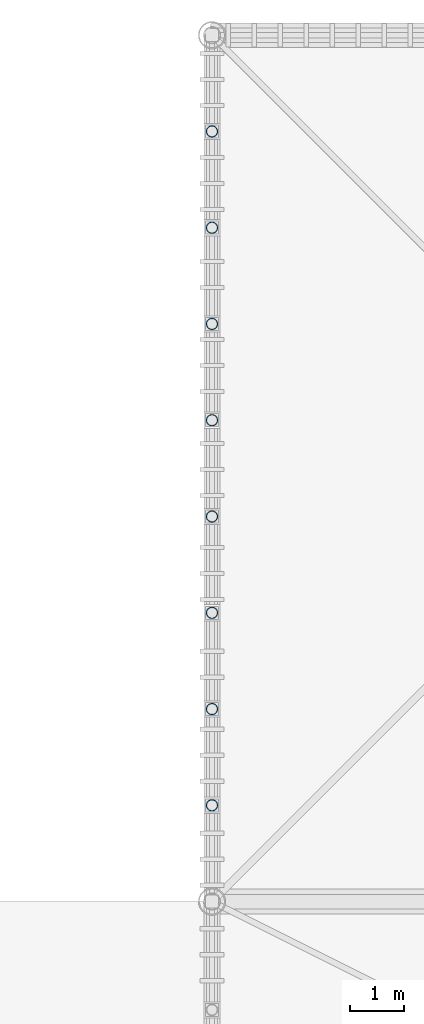
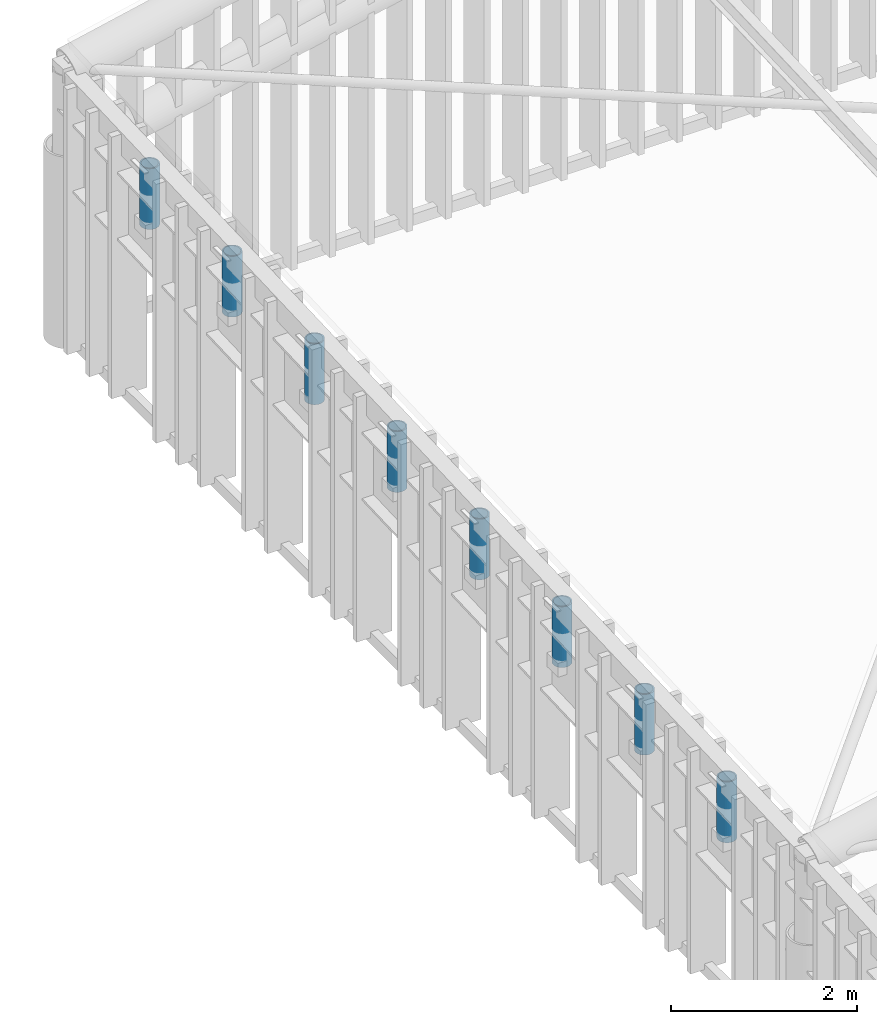
# One storey, part 16 of 25: 8 members.
"""IFC4 building model written with IfcOpenShell, lengths in metres."""

import ifcopenshell
import ifcopenshell.guid

model = None  # the IFC model being written
_history = None  # IfcOwnerHistory: only IFC2X3 demands one
_inside = {}  # id of a spatial element -> (the spatial element, [elements in it])
_under = {}  # id of a project, library or spatial element -> (it, [spatial elements below it])
_declared = {}  # id of a project -> (the project, [libraries it declares])
_typed = {}  # id of a type object -> (the type object, [elements of that type])
_made_of = {}  # id of a material, layer set ... -> (it, [elements and type objects made of it])


def new_model(schema):
    """Start an empty IFC model of exactly this schema.

    Asked for "IFC4X3", IfcOpenShell would pick the latest addendum, in which some entities
    have other attributes; the version numbers below select the first issue.
    IFC2X3 requires an IfcOwnerHistory on every rooted entity: one is made here for all.
    """
    global model, _history
    if schema == "IFC4X3":
        model = ifcopenshell.file(schema_version=(4, 3, 0, 0))
    else:
        model = ifcopenshell.file(schema=schema)
    _inside.clear()
    _under.clear()
    _declared.clear()
    _typed.clear()
    _made_of.clear()
    _history = None
    if model.schema == "IFC2X3":
        org = make("IfcOrganization", Name="unknown")
        user = make(
            "IfcPersonAndOrganization",
            ThePerson=make("IfcPerson", FamilyName="unknown"),
            TheOrganization=org,
        )
        app = make(
            "IfcApplication",
            ApplicationDeveloper=org,
            Version="unknown",
            ApplicationFullName="unknown",
            ApplicationIdentifier="unknown",
        )
        _history = make(
            "IfcOwnerHistory",
            OwningUser=user,
            OwningApplication=app,
            ChangeAction="ADDED",
            CreationDate=0,
        )
    return model


def make(cls, **values):
    """One entity of the class cls with the attributes given. An attribute that is None is left unset."""
    return model.create_entity(
        cls, **{name: value for name, value in values.items() if value is not None}
    )


def rooted(cls, **values):
    """An entity with a GlobalId (a new one), such as an element, a storey or a relation."""
    return make(cls, GlobalId=ifcopenshell.guid.new(), OwnerHistory=_history, **values)


def si_unit(unit_type, name, prefix=None):
    """IfcSIUnit, for example si_unit("LENGTHUNIT", "METRE", prefix="MILLI")."""
    return make("IfcSIUnit", UnitType=unit_type, Prefix=prefix, Name=name)


def assignment(units):
    """IfcUnitAssignment: the units of a project."""
    return None if units is None else make("IfcUnitAssignment", Units=units)


def point(xyz):
    """IfcCartesianPoint."""
    return None if xyz is None else make("IfcCartesianPoint", Coordinates=xyz)


def direction(xyz):
    """IfcDirection."""
    return None if xyz is None else make("IfcDirection", DirectionRatios=xyz)


def frame(location, z_axis=None, x_axis=None):
    """IfcAxis2Placement3D, a coordinate frame: its origin and axes. An axis left out is left unset."""
    return make(
        "IfcAxis2Placement3D",
        Location=point(location),
        Axis=direction(z_axis),
        RefDirection=direction(x_axis),
    )


def frame_2d(location, x_axis=None):
    """IfcAxis2Placement2D, a coordinate frame in the plane: its origin and x axis."""
    return make(
        "IfcAxis2Placement2D", Location=point(location), RefDirection=direction(x_axis)
    )


def origin():
    """The frame at (0, 0, 0) with its axes left unset."""
    return frame((0.0, 0.0, 0.0))


def origin_2d():
    """The frame at (0, 0) in the plane with its x axis left unset."""
    return frame_2d((0.0, 0.0))


def place(relative_to, where):
    """IfcLocalPlacement: puts the frame where relative to a parent placement (None: the world)."""
    return make(
        "IfcLocalPlacement", PlacementRelTo=relative_to, RelativePlacement=where
    )


def context(
    kind, dimensions, precision=None, world=None, true_north=None, identifier=None
):
    """IfcGeometricRepresentationContext, for example the 3D "Model" context."""
    return make(
        "IfcGeometricRepresentationContext",
        ContextIdentifier=identifier,
        ContextType=kind,
        CoordinateSpaceDimension=dimensions,
        Precision=precision,
        WorldCoordinateSystem=world,
        TrueNorth=true_north,
    )


def subcontext(parent, identifier, kind, view, scale=None):
    """IfcGeometricRepresentationSubContext, for example "Body" below "Model"."""
    return make(
        "IfcGeometricRepresentationSubContext",
        ContextIdentifier=identifier,
        ContextType=kind,
        ParentContext=parent,
        TargetScale=scale,
        TargetView=view,
    )


def project(units=None, contexts=None):
    """IfcProject with its units and contexts."""
    return rooted(
        "IfcProject",
        Name="project",
        RepresentationContexts=contexts,
        UnitsInContext=assignment(units),
    )


def spatial(cls, under=None, at=None, **own):
    """A site, building, storey or space (cls), placed at a placement, below another one or the project."""
    s = rooted(cls, ObjectPlacement=at, **own)
    if under is not None:
        _under.setdefault(under.id(), (under, []))[1].append(s)
    return s


def profile(cls, at=None, kind="AREA", **sizes):
    """A parametric profile (cls). Its sizes go by their IFC names, for example OverallWidth=200.0."""
    return make(cls, ProfileType=kind, Position=at, **sizes)


def hollow_circle(**sizes):
    """IfcCircleHollowProfileDef."""
    return profile("IfcCircleHollowProfileDef", **sizes)


def extrude(swept, where, along, depth):
    """IfcExtrudedAreaSolid: the profile swept, set in the frame where, extruded along a direction by depth."""
    return make(
        "IfcExtrudedAreaSolid",
        SweptArea=swept,
        Position=where,
        ExtrudedDirection=direction(along),
        Depth=depth,
    )


def shape(context_of_items, identifier, shape_type, items):
    """IfcShapeRepresentation: the items that make up one representation, for example the "Body"."""
    return make(
        "IfcShapeRepresentation",
        ContextOfItems=context_of_items,
        RepresentationIdentifier=identifier,
        RepresentationType=shape_type,
        Items=items,
    )


def material(Name=None, Category=None):
    """IfcMaterial."""
    return make("IfcMaterial", Name=Name, Category=Category)


def material_profile(
    of_material, cross_section, Name=None, Category=None, Priority=None
):
    """IfcMaterialProfile: a cross section and its material."""
    return make(
        "IfcMaterialProfile",
        Name=Name,
        Material=of_material,
        Profile=cross_section,
        Priority=Priority,
        Category=Category,
    )


def profile_set(profiles, Name=None, composite=None):
    """IfcMaterialProfileSet."""
    return make(
        "IfcMaterialProfileSet",
        Name=Name,
        MaterialProfiles=profiles,
        CompositeProfile=composite,
    )


def made_of(thing, what):
    """Note that an element or type object is made of a material, layer set ...; save() writes the relation."""
    if what is not None:
        _made_of.setdefault(what.id(), (what, []))[1].append(thing)
    return thing


def type_object(cls, material=None, **own):
    """A type object (cls), such as IfcWallType, which elements share."""
    return made_of(rooted(cls, **own), material)


def element(
    cls,
    number,
    at=None,
    inside=None,
    cuts=None,
    type_object=None,
    material=None,
    context=None,
    identifier="Body",
    shape_type=None,
    held_by="IfcProductDefinitionShape",
    body=None,
    shapes=None,
    **own,
):
    """One element of the class cls, such as IfcWall. Its Tag is "e" and its number.

    at: its placement. inside: the storey or other place that contains it. cuts: it is an
    opening in that element (IfcRelVoidsElement). A single representation is given by context,
    identifier, shape_type and body (its items); several are given by shapes. held_by: the class
    of the entity that holds the representations. save() writes the other relations.
    """
    e = rooted(cls, Tag="e%d" % number, ObjectPlacement=at, **own)
    if body is not None:
        shapes = [shape(context, identifier, shape_type, body)]
    if shapes is not None:
        e.Representation = make(held_by, Representations=shapes)
    if inside is not None:
        _inside.setdefault(inside.id(), (inside, []))[1].append(e)
    if cuts is not None:
        rooted(
            "IfcRelVoidsElement", RelatingBuildingElement=cuts, RelatedOpeningElement=e
        )
    if type_object is not None:
        _typed.setdefault(type_object.id(), (type_object, []))[1].append(e)
    return made_of(e, material)


def aggregate(whole, parts):
    """IfcRelAggregates: a whole, such as a stair, and the parts it consists of."""
    return rooted("IfcRelAggregates", RelatingObject=whole, RelatedObjects=parts)


def save(model, path):
    """Write the relations noted so far, then the file.

    IfcRelAggregates (storeys below a building ...), IfcRelContainedInSpatialStructure (elements
    in a storey), IfcRelDefinesByType, IfcRelAssociatesMaterial and IfcRelDeclares: one each for
    every whole, place, type object, material and project.
    """
    for whole, parts in _under.values():
        aggregate(whole, parts)
    for where, things in _inside.values():
        rooted(
            "IfcRelContainedInSpatialStructure",
            RelatedElements=things,
            RelatingStructure=where,
        )
    for kind, things in _typed.values():
        rooted("IfcRelDefinesByType", RelatedObjects=things, RelatingType=kind)
    for what, things in _made_of.values():
        rooted("IfcRelAssociatesMaterial", RelatedObjects=things, RelatingMaterial=what)
    for by, libraries in _declared.values():
        rooted("IfcRelDeclares", RelatingContext=by, RelatedDefinitions=libraries)
    model.write(path)


model = new_model("IFC4")

# Units and contexts
model_context = context("Model", 3, precision=1e-05, world=origin(), true_north=direction((0.0, 1.0)))
body_context = subcontext(model_context, "Body", "Model", "MODEL_VIEW")
ifc_project = project(units=[si_unit("LENGTHUNIT", "METRE"), si_unit("AREAUNIT", "SQUARE_METRE"), si_unit("VOLUMEUNIT", "CUBIC_METRE"), si_unit("PLANEANGLEUNIT", "RADIAN"), si_unit("MASSUNIT", "GRAM", prefix="KILO")], contexts=[model_context])

# Site, building, storey
site_placement = place(None, origin())
site = spatial("IfcSite", under=ifc_project, at=site_placement, CompositionType="ELEMENT")
building_placement = place(site_placement, origin())
building = spatial("IfcBuilding", under=site, at=building_placement, Name="Haebicheon Civic Stadium", CompositionType="ELEMENT")
storey_placement = place(building_placement, frame((0.0, 0.0, 31.199951171875)))
storey = spatial("IfcBuildingStorey", under=building, at=storey_placement, Name="RF", CompositionType="ELEMENT", Elevation=31.199951171875)

# Members
ifc_material = material(Name="White painted steel SM490", Category="steel")
ifc_material_profile = material_profile(ifc_material, hollow_circle(Radius=0.109619140625, WallThickness=0.01611328125, at=origin_2d()), Name="CHS-219.1x16.0")
ifc_profile_set = profile_set([ifc_material_profile], Name="White painted steel SM490")
member_type = type_object("IfcMemberType", Name="HRD-CHS219", PredefinedType="USERDEFINED", material=ifc_profile_set)
member_1_placement = place(storey_placement, frame((48.0, 121.778076171875, 2.02197265625), z_axis=(0.0, 0.0, 1.0), x_axis=(1.0, 0.0, 0.0)))
element("IfcMember", 1, at=member_1_placement, inside=storey, type_object=member_type, material=ifc_profile_set, Name="CAN-WEST white vertical suspension rod 8.1", ObjectType="HANGER ROD", PredefinedType="USERDEFINED", context=body_context, shape_type="SweptSolid", body=[
    extrude(hollow_circle(Radius=0.109619140625, WallThickness=0.01611328125, at=origin_2d()), origin(), (0.0, 0.0, 1.0), 0.800048828125),
])
member_2_placement = place(storey_placement, frame((48.0, 123.555908203125, 2.09716796875), z_axis=(0.0, 0.0, 1.0), x_axis=(1.0, 0.0, 0.0)))
element("IfcMember", 2, at=member_2_placement, inside=storey, type_object=member_type, material=ifc_profile_set, Name="CAN-WEST white vertical suspension rod 8.2", ObjectType="HANGER ROD", PredefinedType="USERDEFINED", context=body_context, shape_type="SweptSolid", body=[
    extrude(hollow_circle(Radius=0.109619140625, WallThickness=0.01611328125, at=origin_2d()), origin(), (0.0, 0.0, 1.0), 0.7998046875),
])
for number, where, z_axis, x_axis, name in (
    (3, (48.0, 125.3330078125, 2.172119140625), (0.0, 0.0, 1.0), (1.0, 0.0, 0.0), "CAN-WEST white vertical suspension rod 8.3"),
    (4, (48.0, 127.111083984375, 2.2470703125), (0.0, 0.0, 1.0), (1.0, 0.0, 0.0), "CAN-WEST white vertical suspension rod 8.4"),
    (5, (48.0, 128.888916015625, 2.321044921875), (0.0, 0.0, 1.0), (1.0, 0.0, 0.0), "CAN-WEST white vertical suspension rod 8.5"),
    (6, (48.0, 130.6669921875, 2.39599609375), (0.0, 0.0, 1.0), (1.0, 0.0, 0.0), "CAN-WEST white vertical suspension rod 8.6"),
    (7, (48.0, 132.444091796875, 2.470947265625), (0.0, 0.0, 1.0), (1.0, 0.0, 0.0), "CAN-WEST white vertical suspension rod 8.7"),
):
    element("IfcMember", number, at=place(storey_placement, frame(where, z_axis=z_axis, x_axis=x_axis)), inside=storey, type_object=member_type, material=ifc_profile_set, Name=name, ObjectType="HANGER ROD", PredefinedType="USERDEFINED", context=body_context, shape_type="SweptSolid", body=[
        extrude(hollow_circle(Radius=0.109619140625, WallThickness=0.01611328125, at=origin_2d()), origin(), (0.0, 0.0, 1.0), 0.800048828125),
    ])
member_3_placement = place(storey_placement, frame((48.0, 134.221923828125, 2.546142578125), z_axis=(0.0, 0.0, 1.0), x_axis=(1.0, 0.0, 0.0)))
element("IfcMember", 8, at=member_3_placement, inside=storey, type_object=member_type, material=ifc_profile_set, Name="CAN-WEST white vertical suspension rod 8.8", ObjectType="HANGER ROD", PredefinedType="USERDEFINED", context=body_context, shape_type="SweptSolid", body=[
    extrude(hollow_circle(Radius=0.109619140625, WallThickness=0.01611328125, at=origin_2d()), origin(), (0.0, 0.0, 1.0), 0.7998046875),
])

save(model, "model.ifc")
